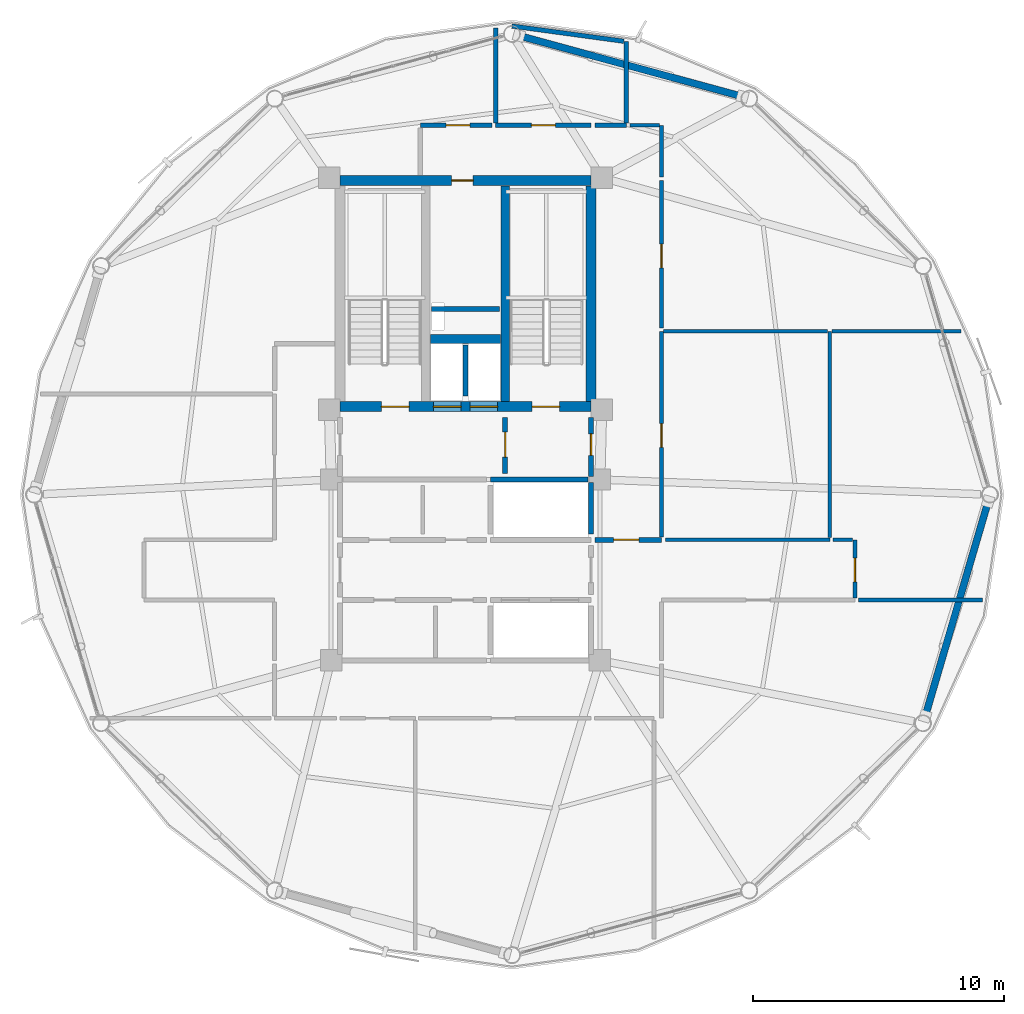
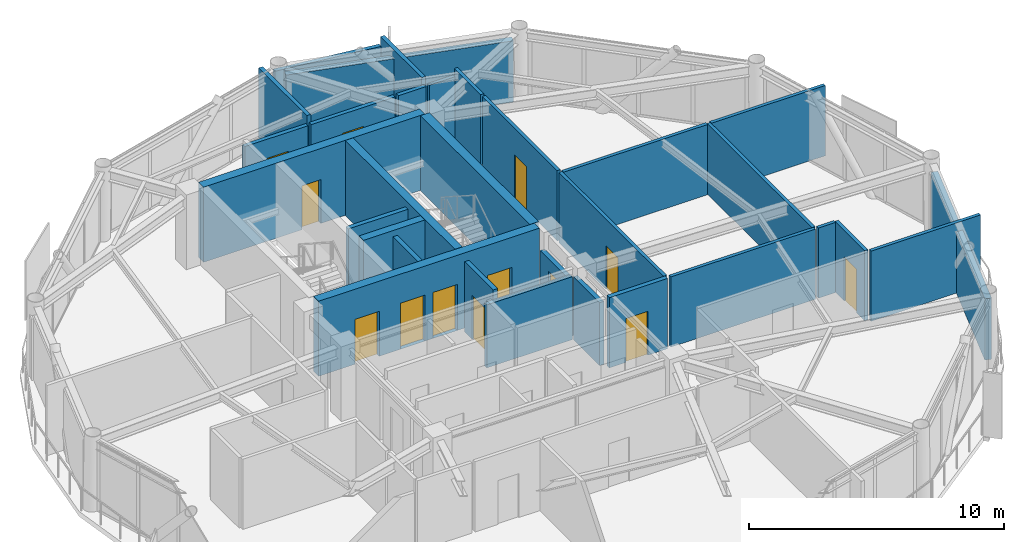
# One storey, part 22 of 26: 31 walls, 13 doors, 13 openings.
"""IFC4 building model written with IfcOpenShell, lengths in metres."""

from ifc_helpers import new_model, si_unit, direction, frame, frame_2d, origin, place, context, subcontext, project, spatial, rectangle, extrude, material, layer, layer_set, type_object, element, fill, save


model = new_model("IFC4")

# Units and contexts
model_context = context("Model", 3, precision=1e-05, world=origin(), true_north=direction((0.0, 1.0)))
body_context = subcontext(model_context, "Body", "Model", "MODEL_VIEW")
ifc_project = project(units=[si_unit("LENGTHUNIT", "METRE"), si_unit("AREAUNIT", "SQUARE_METRE"), si_unit("VOLUMEUNIT", "CUBIC_METRE"), si_unit("PLANEANGLEUNIT", "RADIAN"), si_unit("MASSUNIT", "GRAM", prefix="KILO")], contexts=[model_context])

# Site, building, storey
site_placement = place(None, origin())
site = spatial("IfcSite", under=ifc_project, at=site_placement, CompositionType="ELEMENT")
building_placement = place(site_placement, origin())
building = spatial("IfcBuilding", under=site, at=building_placement, Name="Varnakorn Sky Granary", CompositionType="ELEMENT")
storey_placement = place(building_placement, frame((0.0, 0.0, 218.39990234375)))
storey = spatial("IfcBuildingStorey", under=building, at=storey_placement, Name="L55", CompositionType="ELEMENT", Elevation=218.39990234375)

# Walls
ifc_material_1 = material(Name="Concrete C50/60", Category="concrete")
ifc_layer_1 = layer(ifc_material_1, 0.35009765625, Name="Concrete C50/60")
ifc_layer_set_1 = layer_set([ifc_layer_1], Name="Concrete C50/60")
wall_type_1 = type_object("IfcWallType", Name="WT-CW-INT-350", PredefinedType="SHEAR", material=ifc_layer_set_1)
wall_1_placement = place(storey_placement, frame((4.580078125, 3.7099609375, 0.0), z_axis=(0.0, 0.0, 1.0), x_axis=(0.0, 1.0, 0.0)))
element("IfcWall", 1, at=wall_1_placement, inside=storey, type_object=wall_type_1, Name="Stair ST-2 Core Wall L55", PredefinedType="SHEAR", context=body_context, shape_type="SweptSolid", body=[
    extrude(rectangle(XDim=8.580078125, YDim=0.35009765625, at=frame_2d((4.2900390625, 0.0))), origin(), (0.0, 0.0, 1.0), 3.592041015625),
])
wall_2_placement = place(storey_placement, frame((1.610107421875, 6.199951171875, 0.0), z_axis=(0.0, 0.0, 1.0), x_axis=(1.0, 0.0, 0.0)))
element("IfcWall", 2, at=wall_2_placement, inside=storey, type_object=wall_type_1, Name="Core Lift Shaft Cross Wall L55", PredefinedType="SHEAR", context=body_context, shape_type="SweptSolid", body=[
    extrude(rectangle(XDim=2.77978515625, YDim=0.35009765625, at=frame_2d((1.389892578125, 0.0))), origin(), (0.0, 0.0, 1.0), 3.592041015625),
])

# Wall, openings, doors
ifc_layer_2 = layer(ifc_material_1, 0.39990234375, Name="Concrete C50/60")
ifc_layer_set_2 = layer_set([ifc_layer_2], Name="Concrete C50/60")
wall_type_2 = type_object("IfcWallType", Name="WT-CW-SHEAR-400", PredefinedType="SHEAR", material=ifc_layer_set_2)
wall_3_placement = place(storey_placement, frame((-2.0, 3.5, 0.0), z_axis=(0.0, 0.0, 1.0), x_axis=(1.0, 0.0, 0.0)))
wall_3 = element("IfcWall", 3, at=wall_3_placement, inside=storey, type_object=wall_type_2, Name="Core South Shear Wall L55", PredefinedType="SHEAR", context=body_context, shape_type="SweptSolid", body=[
    extrude(rectangle(XDim=10.0, YDim=0.39990234375, at=frame_2d((5.0, 0.0))), origin(), (0.0, 0.0, 1.0), 3.592041015625),
])
opening_1_placement = place(wall_3_placement, frame((1.64990234375, 0.0, 0.0)))
opening_1 = element("IfcOpeningElement", 4, at=opening_1_placement, cuts=wall_3, Name="Opening FD-90", PredefinedType="OPENING", context=body_context, shape_type="SweptSolid", body=[
    extrude(rectangle(XDim=1.10009765625, YDim=2.14990234375, at=frame_2d((0.550048828125, 1.074951171875))), frame((0.0, 0.2099609375, 0.0), z_axis=(0.0, -1.0, 0.0), x_axis=(1.0, 0.0, 0.0)), (0.0, 0.0, 1.0), 0.419921875),
])
opening_2_placement = place(wall_3_placement, frame((7.64990234375, 0.0, 0.0)))
opening_2 = element("IfcOpeningElement", 5, at=opening_2_placement, cuts=wall_3, Name="Opening FD-90", PredefinedType="OPENING", context=body_context, shape_type="SweptSolid", body=[
    extrude(rectangle(XDim=1.10009765625, YDim=2.14990234375, at=frame_2d((0.550048828125, 1.074951171875))), frame((0.0, 0.2099609375, 0.0), z_axis=(0.0, -1.0, 0.0), x_axis=(1.0, 0.0, 0.0)), (0.0, 0.0, 1.0), 0.419921875),
])
opening_3_placement = place(wall_3_placement, frame((3.719970703125, 0.0, 0.0)))
opening_3 = element("IfcOpeningElement", 6, at=opening_3_placement, cuts=wall_3, Name="Opening LD-01", PredefinedType="OPENING", context=body_context, shape_type="SweptSolid", body=[
    extrude(rectangle(XDim=1.10009765625, YDim=2.199951171875, at=frame_2d((0.550048828125, 1.10009765625))), frame((0.0, 0.2099609375, 0.0), z_axis=(0.0, -1.0, 0.0), x_axis=(1.0, 0.0, 0.0)), (0.0, 0.0, 1.0), 0.419921875),
])
opening_4_placement = place(wall_3_placement, frame((5.179931640625, 0.0, 0.0)))
opening_4 = element("IfcOpeningElement", 7, at=opening_4_placement, cuts=wall_3, Name="Opening LD-01", PredefinedType="OPENING", context=body_context, shape_type="SweptSolid", body=[
    extrude(rectangle(XDim=1.10009765625, YDim=2.199951171875, at=frame_2d((0.550048828125, 1.10009765625))), frame((0.0, 0.2099609375, 0.0), z_axis=(0.0, -1.0, 0.0), x_axis=(1.0, 0.0, 0.0)), (0.0, 0.0, 1.0), 0.419921875),
])
ifc_material_2 = material(Name="Brushed Bronze Stainless Steel", Category="steel")
door_type_1 = type_object("IfcDoorType", Name="DR-LD-1100", OperationType="DOUBLE_DOOR_SLIDING", PredefinedType="DOOR", material=ifc_material_2)
door_1_placement = place(opening_3_placement, origin())
door_1 = element("IfcDoor", 8, at=door_1_placement, inside=storey, type_object=door_type_1, Name="Firefighting Lift FFL-1 Landing Door L55", OperationType="DOUBLE_DOOR_SLIDING", OverallHeight=2.199951171875, OverallWidth=1.10009765625, PredefinedType="DOOR", context=body_context, shape_type="SweptSolid", body=[
    extrude(rectangle(XDim=1.10009765625, YDim=2.199951171875, at=frame_2d((0.550048828125, 1.10009765625))), frame((0.0, 0.02490234375, 0.0), z_axis=(0.0, -1.0, 0.0), x_axis=(1.0, 0.0, 0.0)), (0.0, 0.0, 1.0), 0.050048828125),
])
fill(opening_3, door_1)
door_2_placement = place(opening_4_placement, origin())
door_2 = element("IfcDoor", 9, at=door_2_placement, inside=storey, type_object=door_type_1, Name="Firefighting Lift FFL-2 Landing Door L55", OperationType="DOUBLE_DOOR_SLIDING", OverallHeight=2.199951171875, OverallWidth=1.10009765625, PredefinedType="DOOR", context=body_context, shape_type="SweptSolid", body=[
    extrude(rectangle(XDim=1.10009765625, YDim=2.199951171875, at=frame_2d((0.550048828125, 1.10009765625))), frame((0.0, 0.02490234375, 0.0), z_axis=(0.0, -1.0, 0.0), x_axis=(1.0, 0.0, 0.0)), (0.0, 0.0, 1.0), 0.050048828125),
])
fill(opening_4, door_2)
ifc_material_3 = material(Name="Galvanised Painted Steel Leaf", Category="steel")
door_type_2 = type_object("IfcDoorType", Name="DR-STAIR-1100", OperationType="NOTDEFINED", PredefinedType="DOOR", material=ifc_material_3)
door_3_placement = place(opening_1_placement, origin())
door_3 = element("IfcDoor", 10, at=door_3_placement, inside=storey, type_object=door_type_2, Name="Stair ST-1 Protected Fire Door L55", OperationType="SINGLE_SWING_LEFT", OverallHeight=2.14990234375, OverallWidth=1.10009765625, PredefinedType="DOOR", context=body_context, shape_type="SweptSolid", body=[
    extrude(rectangle(XDim=1.10009765625, YDim=2.14990234375, at=frame_2d((0.550048828125, 1.074951171875))), frame((0.0, 0.02490234375, 0.0), z_axis=(0.0, -1.0, 0.0), x_axis=(1.0, 0.0, 0.0)), (0.0, 0.0, 1.0), 0.050048828125),
])
fill(opening_1, door_3)
door_4_placement = place(opening_2_placement, origin())
door_4 = element("IfcDoor", 11, at=door_4_placement, inside=storey, type_object=door_type_2, Name="Stair ST-2 Protected Fire Door L55", OperationType="SINGLE_SWING_RIGHT", OverallHeight=2.14990234375, OverallWidth=1.10009765625, PredefinedType="DOOR", context=body_context, shape_type="SweptSolid", body=[
    extrude(rectangle(XDim=1.10009765625, YDim=2.14990234375, at=frame_2d((0.550048828125, 1.074951171875))), frame((0.0, 0.02490234375, 0.0), z_axis=(0.0, -1.0, 0.0), x_axis=(1.0, 0.0, 0.0)), (0.0, 0.0, 1.0), 0.050048828125),
])
fill(opening_2, door_4)

# Wall, opening, door
wall_4_placement = place(storey_placement, frame((-2.0, 12.5, 0.0), z_axis=(0.0, 0.0, 1.0), x_axis=(1.0, 0.0, 0.0)))
wall_4 = element("IfcWall", 12, at=wall_4_placement, inside=storey, type_object=wall_type_2, Name="Core North Shear Wall L55", PredefinedType="SHEAR", context=body_context, shape_type="SweptSolid", body=[
    extrude(rectangle(XDim=10.0, YDim=0.39990234375, at=frame_2d((5.0, 0.0))), origin(), (0.0, 0.0, 1.0), 3.592041015625),
])
opening_5_placement = place(wall_4_placement, frame((4.449951171875, 0.0, 0.0)))
opening_5 = element("IfcOpeningElement", 13, at=opening_5_placement, cuts=wall_4, Name="Opening FD-60N", PredefinedType="OPENING", context=body_context, shape_type="SweptSolid", body=[
    extrude(rectangle(XDim=0.85009765625, YDim=2.10009765625, at=frame_2d((0.425048828125, 1.050048828125))), frame((0.0, 0.2099609375, 0.0), z_axis=(0.0, -1.0, 0.0), x_axis=(1.0, 0.0, 0.0)), (0.0, 0.0, 1.0), 0.419921875),
])
ifc_material_4 = material(Name="Acoustic Timber Fire Leaf", Category="wood")
door_type_3 = type_object("IfcDoorType", Name="DR-FD60-850", OperationType="NOTDEFINED", PredefinedType="DOOR", material=ifc_material_4)
door_5_placement = place(opening_5_placement, origin())
door_5 = element("IfcDoor", 14, at=door_5_placement, inside=storey, type_object=door_type_3, Name="Core North Service Door L55", OperationType="SINGLE_SWING_LEFT", OverallHeight=2.10009765625, OverallWidth=0.85009765625, PredefinedType="DOOR", context=body_context, shape_type="SweptSolid", body=[
    extrude(rectangle(XDim=0.85009765625, YDim=2.10009765625, at=frame_2d((0.425048828125, 1.050048828125))), frame((0.0, 0.02490234375, 0.0), z_axis=(0.0, -1.0, 0.0), x_axis=(1.0, 0.0, 0.0)), (0.0, 0.0, 1.0), 0.050048828125),
])
fill(opening_5, door_5)

# Walls
wall_5_placement = place(storey_placement, frame((8.0, 3.7099609375, 0.0), z_axis=(0.0, 0.0, 1.0), x_axis=(0.0, 1.0, 0.0)))
element("IfcWall", 15, at=wall_5_placement, inside=storey, type_object=wall_type_2, Name="Core East Shear Wall L55", PredefinedType="SHEAR", context=body_context, shape_type="SweptSolid", body=[
    extrude(rectangle(XDim=8.580078125, YDim=0.39990234375, at=frame_2d((4.2900390625, 0.0))), origin(), (0.0, 0.0, 1.0), 3.592041015625),
])
ifc_material_5 = material(Name="Precast concrete C40/50", Category="concrete")
ifc_layer_3 = layer(ifc_material_5, 0.280029296875, Name="Precast concrete C40/50")
ifc_layer_set_3 = layer_set([ifc_layer_3], Name="Precast concrete C40/50")
wall_type_3 = type_object("IfcWallType", Name="WT-EW-CRN-280", PredefinedType="SOLIDWALL", material=ifc_layer_set_3)
wall_6_placement = place(storey_placement, frame((5.125, 18.26904296875, 0.0), z_axis=(0.0, 0.0, 1.0), x_axis=(0.964845001115, -0.262819565145, 0.0)))
element("IfcWall", 16, at=wall_6_placement, inside=storey, type_object=wall_type_3, Name="Agritech Insulated Precast Facade Wall L55-P03", PredefinedType="SOLIDWALL", context=body_context, shape_type="SweptSolid", body=[
    extrude(rectangle(XDim=9.22509765625, YDim=0.280029296875, at=frame_2d((4.612548828125, 0.0))), origin(), (0.0, 0.0, 1.0), 2.93017578125),
])
wall_7_placement = place(storey_placement, frame((23.806884765625, -0.2734375, 0.0), z_axis=(0.0, 0.0, 1.0), x_axis=(-0.281147848911, -0.95966446587, 0.0)))
element("IfcWall", 17, at=wall_7_placement, inside=storey, type_object=wall_type_3, Name="Agritech Insulated Precast Facade Wall L55-P12", PredefinedType="SOLIDWALL", context=body_context, shape_type="SweptSolid", body=[
    extrude(rectangle(XDim=8.917236328125, YDim=0.280029296875, at=frame_2d((4.45849609375, 0.0))), origin(), (0.0, 0.0, 1.0), 2.93017578125),
])

# Wall, opening, door
ifc_material_6 = material(Name="Autoclaved Aerated Concrete Blockwork", Category="masonry")
ifc_layer_4 = layer(ifc_material_6, 0.199951171875, Name="Autoclaved Aerated Concrete Blockwork")
ifc_layer_set_4 = layer_set([ifc_layer_4], Name="Autoclaved Aerated Concrete Blockwork")
wall_type_4 = type_object("IfcWallType", Name="WT-FIRE-200", PredefinedType="MOVABLE", material=ifc_layer_set_4)
wall_8_placement = place(storey_placement, frame((4.580078125, 0.830078125, 0.0), z_axis=(0.0, 0.0, 1.0), x_axis=(0.0, 1.0, 0.0)))
wall_8 = element("IfcWall", 18, at=wall_8_placement, inside=storey, type_object=wall_type_4, Name="Interior Partition Wall L55-011", PredefinedType="MOVABLE", context=body_context, shape_type="SweptSolid", body=[
    extrude(rectangle(XDim=2.239990234375, YDim=0.199951171875, at=frame_2d((1.1201171875, 0.0))), origin(), (0.0, 0.0, 1.0), 3.360107421875),
])
opening_6_placement = place(wall_8_placement, frame((0.659912109375, 0.0, 0.0)))
opening_6 = element("IfcOpeningElement", 19, at=opening_6_placement, cuts=wall_8, Name="Opening FD-60", PredefinedType="OPENING", context=body_context, shape_type="SweptSolid", body=[
    extrude(rectangle(XDim=1.0, YDim=2.10009765625, at=frame_2d((0.5, 1.050048828125))), frame((0.0, 0.10986328125, 0.0), z_axis=(0.0, -1.0, 0.0), x_axis=(1.0, 0.0, 0.0)), (0.0, 0.0, 1.0), 0.219970703125),
])
door_type_4 = type_object("IfcDoorType", Name="DR-FD60-1000", OperationType="NOTDEFINED", PredefinedType="DOOR", material=ifc_material_4)
door_6_placement = place(opening_6_placement, origin())
door_6 = element("IfcDoor", 20, at=door_6_placement, inside=storey, type_object=door_type_4, Name="Interior Door L55-011-1", OperationType="SINGLE_SWING_RIGHT", OverallHeight=2.10009765625, OverallWidth=1.0, PredefinedType="DOOR", context=body_context, shape_type="SweptSolid", body=[
    extrude(rectangle(XDim=1.0, YDim=2.10009765625, at=frame_2d((0.5, 1.050048828125))), frame((0.0, 0.02490234375, 0.0), z_axis=(0.0, -1.0, 0.0), x_axis=(1.0, 0.0, 0.0)), (0.0, 0.0, 1.0), 0.050048828125),
])
fill(opening_6, door_6)

wall_9_placement = place(storey_placement, frame((8.0, 0.719970703125, 0.0), z_axis=(0.0, 0.0, 1.0), x_axis=(0.0, 1.0, 0.0)))
wall_9 = element("IfcWall", 21, at=wall_9_placement, inside=storey, type_object=wall_type_4, Name="Interior Partition Wall L55-013", PredefinedType="MOVABLE", context=body_context, shape_type="SweptSolid", body=[
    extrude(rectangle(XDim=2.35009765625, YDim=0.199951171875, at=frame_2d((1.175048828125, 0.0))), origin(), (0.0, 0.0, 1.0), 2.692138671875),
])
opening_7_placement = place(wall_9_placement, frame((0.844970703125, 0.0, 0.0)))
opening_7 = element("IfcOpeningElement", 22, at=opening_7_placement, cuts=wall_9, Name="Opening FD-60N", PredefinedType="OPENING", context=body_context, shape_type="SweptSolid", body=[
    extrude(rectangle(XDim=0.85009765625, YDim=2.10009765625, at=frame_2d((0.425048828125, 1.050048828125))), frame((0.0, 0.10986328125, 0.0), z_axis=(0.0, -1.0, 0.0), x_axis=(1.0, 0.0, 0.0)), (0.0, 0.0, 1.0), 0.219970703125),
])
door_7_placement = place(opening_7_placement, origin())
door_7 = element("IfcDoor", 23, at=door_7_placement, inside=storey, type_object=door_type_3, Name="Interior Door L55-013-1", OperationType="SINGLE_SWING_RIGHT", OverallHeight=2.10009765625, OverallWidth=0.85009765625, PredefinedType="DOOR", context=body_context, shape_type="SweptSolid", body=[
    extrude(rectangle(XDim=0.85009765625, YDim=2.10009765625, at=frame_2d((0.425048828125, 1.050048828125))), frame((0.0, 0.02490234375, 0.0), z_axis=(0.0, -1.0, 0.0), x_axis=(1.0, 0.0, 0.0)), (0.0, 0.0, 1.0), 0.050048828125),
])
fill(opening_7, door_7)

wall_10_placement = place(storey_placement, frame((8.159912109375, -1.800048828125, 0.0), z_axis=(0.0, 0.0, 1.0), x_axis=(1.0, 0.0, 0.0)))
wall_10 = element("IfcWall", 24, at=wall_10_placement, inside=storey, type_object=wall_type_4, Name="Interior Partition Wall L55-018", PredefinedType="MOVABLE", context=body_context, shape_type="SweptSolid", body=[
    extrude(rectangle(XDim=2.64013671875, YDim=0.199951171875, at=frame_2d((1.320068359375, 0.0))), origin(), (0.0, 0.0, 1.0), 3.360107421875),
])
opening_8_placement = place(wall_10_placement, frame((0.739990234375, 0.0, 0.0)))
opening_8 = element("IfcOpeningElement", 25, at=opening_8_placement, cuts=wall_10, Name="Opening FD-60", PredefinedType="OPENING", context=body_context, shape_type="SweptSolid", body=[
    extrude(rectangle(XDim=1.0, YDim=2.10009765625, at=frame_2d((0.5, 1.050048828125))), frame((0.0, 0.10986328125, 0.0), z_axis=(0.0, -1.0, 0.0), x_axis=(1.0, 0.0, 0.0)), (0.0, 0.0, 1.0), 0.219970703125),
])
door_8_placement = place(opening_8_placement, origin())
door_8 = element("IfcDoor", 26, at=door_8_placement, inside=storey, type_object=door_type_4, Name="Interior Door L55-018-1", OperationType="SINGLE_SWING_LEFT", OverallHeight=2.10009765625, OverallWidth=1.0, PredefinedType="DOOR", context=body_context, shape_type="SweptSolid", body=[
    extrude(rectangle(XDim=1.0, YDim=2.10009765625, at=frame_2d((0.5, 1.050048828125))), frame((0.0, 0.02490234375, 0.0), z_axis=(0.0, -1.0, 0.0), x_axis=(1.0, 0.0, 0.0)), (0.0, 0.0, 1.0), 0.050048828125),
])
fill(opening_8, door_8)

ifc_material_7 = material(Name="Gypsum Plasterboard on Steel Stud", Category="steel")
ifc_layer_5 = layer(ifc_material_7, 0.14990234375, Name="Gypsum Plasterboard on Steel Stud")
ifc_layer_set_5 = layer_set([ifc_layer_5], Name="Gypsum Plasterboard on Steel Stud")
wall_type_5 = type_object("IfcWallType", Name="WT-PART-150", PredefinedType="PARTITIONING", material=ifc_layer_set_5)
wall_11_placement = place(storey_placement, frame((10.800048828125, -1.68994140625, 0.0), z_axis=(0.0, 0.0, 1.0), x_axis=(0.0, 1.0, 0.0)))
wall_11 = element("IfcWall", 27, at=wall_11_placement, inside=storey, type_object=wall_type_5, Name="Interior Partition Wall L55-025", PredefinedType="PARTITIONING", context=body_context, shape_type="SweptSolid", body=[
    extrude(rectangle(XDim=8.18994140625, YDim=0.14990234375, at=frame_2d((4.094970703125, 0.0))), origin(), (0.0, 0.0, 1.0), 3.360107421875),
])
opening_9_placement = place(wall_11_placement, frame((3.56494140625, 0.0, 0.0)))
opening_9 = element("IfcOpeningElement", 28, at=opening_9_placement, cuts=wall_11, Name="Opening ID-95", PredefinedType="OPENING", context=body_context, shape_type="SweptSolid", body=[
    extrude(rectangle(XDim=0.949951171875, YDim=2.10009765625, at=frame_2d((0.47509765625, 1.050048828125))), frame((0.0, 0.0849609375, 0.0), z_axis=(0.0, -1.0, 0.0), x_axis=(1.0, 0.0, 0.0)), (0.0, 0.0, 1.0), 0.169921875),
])
ifc_material_8 = material(Name="Solid-Core Teak Veneer Leaf", Category="timber")
door_type_5 = type_object("IfcDoorType", Name="DR-INT-950", OperationType="NOTDEFINED", PredefinedType="DOOR", material=ifc_material_8)
door_9_placement = place(opening_9_placement, origin())
door_9 = element("IfcDoor", 29, at=door_9_placement, inside=storey, type_object=door_type_5, Name="Interior Door L55-025-1", OperationType="SINGLE_SWING_RIGHT", OverallHeight=2.10009765625, OverallWidth=0.949951171875, PredefinedType="DOOR", context=body_context, shape_type="SweptSolid", body=[
    extrude(rectangle(XDim=0.949951171875, YDim=2.10009765625, at=frame_2d((0.47509765625, 1.050048828125))), frame((0.0, 0.02490234375, 0.0), z_axis=(0.0, -1.0, 0.0), x_axis=(1.0, 0.0, 0.0)), (0.0, 0.0, 1.0), 0.050048828125),
])
fill(opening_9, door_9)

wall_12_placement = place(storey_placement, frame((18.5, -4.114990234375, 0.0), z_axis=(0.0, 0.0, 1.0), x_axis=(0.0, 1.0, 0.0)))
wall_12 = element("IfcWall", 30, at=wall_12_placement, inside=storey, type_object=wall_type_5, Name="Interior Partition Wall L55-026", PredefinedType="PARTITIONING", context=body_context, shape_type="SweptSolid", body=[
    extrude(rectangle(XDim=2.31494140625, YDim=0.14990234375, at=frame_2d((1.157470703125, 0.0))), origin(), (0.0, 0.0, 1.0), 3.360107421875),
])
opening_10_placement = place(wall_12_placement, frame((0.639892578125, 0.0, 0.0)))
opening_10 = element("IfcOpeningElement", 31, at=opening_10_placement, cuts=wall_12, Name="Opening ID-95", PredefinedType="OPENING", context=body_context, shape_type="SweptSolid", body=[
    extrude(rectangle(XDim=0.949951171875, YDim=2.10009765625, at=frame_2d((0.47509765625, 1.050048828125))), frame((0.0, 0.0849609375, 0.0), z_axis=(0.0, -1.0, 0.0), x_axis=(1.0, 0.0, 0.0)), (0.0, 0.0, 1.0), 0.169921875),
])
door_10_placement = place(opening_10_placement, origin())
door_10 = element("IfcDoor", 32, at=door_10_placement, inside=storey, type_object=door_type_5, Name="Interior Door L55-026-1", OperationType="SINGLE_SWING_LEFT", OverallHeight=2.10009765625, OverallWidth=0.949951171875, PredefinedType="DOOR", context=body_context, shape_type="SweptSolid", body=[
    extrude(rectangle(XDim=0.949951171875, YDim=2.10009765625, at=frame_2d((0.47509765625, 1.050048828125))), frame((0.0, 0.02490234375, 0.0), z_axis=(0.0, -1.0, 0.0), x_axis=(1.0, 0.0, 0.0)), (0.0, 0.0, 1.0), 0.050048828125),
])
fill(opening_10, door_10)

wall_13_placement = place(storey_placement, frame((10.800048828125, 6.635009765625, 0.0), z_axis=(0.0, 0.0, 1.0), x_axis=(0.0, 1.0, 0.0)))
wall_13 = element("IfcWall", 33, at=wall_13_placement, inside=storey, type_object=wall_type_5, Name="Interior Partition Wall L55-027", PredefinedType="PARTITIONING", context=body_context, shape_type="SweptSolid", body=[
    extrude(rectangle(XDim=5.864990234375, YDim=0.14990234375, at=frame_2d((2.9326171875, 0.0))), origin(), (0.0, 0.0, 1.0), 3.360107421875),
])
opening_11_placement = place(wall_13_placement, frame((2.389892578125, 0.0, 0.0)))
opening_11 = element("IfcOpeningElement", 34, at=opening_11_placement, cuts=wall_13, Name="Opening ID-95", PredefinedType="OPENING", context=body_context, shape_type="SweptSolid", body=[
    extrude(rectangle(XDim=0.949951171875, YDim=2.10009765625, at=frame_2d((0.47509765625, 1.050048828125))), frame((0.0, 0.0849609375, 0.0), z_axis=(0.0, -1.0, 0.0), x_axis=(1.0, 0.0, 0.0)), (0.0, 0.0, 1.0), 0.169921875),
])
door_11_placement = place(opening_11_placement, origin())
door_11 = element("IfcDoor", 35, at=door_11_placement, inside=storey, type_object=door_type_5, Name="Interior Door L55-027-1", OperationType="SINGLE_SWING_RIGHT", OverallHeight=2.10009765625, OverallWidth=0.949951171875, PredefinedType="DOOR", context=body_context, shape_type="SweptSolid", body=[
    extrude(rectangle(XDim=0.949951171875, YDim=2.10009765625, at=frame_2d((0.47509765625, 1.050048828125))), frame((0.0, 0.02490234375, 0.0), z_axis=(0.0, -1.0, 0.0), x_axis=(1.0, 0.0, 0.0)), (0.0, 0.0, 1.0), 0.050048828125),
])
fill(opening_11, door_11)

# Walls
wall_14_placement = place(storey_placement, frame((18.635009765625, -4.199951171875, 0.0), z_axis=(0.0, 0.0, 1.0), x_axis=(1.0, 0.0, 0.0)))
element("IfcWall", 36, at=wall_14_placement, inside=storey, type_object=wall_type_5, Name="Interior Partition Wall L55-042", PredefinedType="PARTITIONING", context=body_context, shape_type="SweptSolid", body=[
    extrude(rectangle(XDim=4.948974609375, YDim=0.14990234375, at=frame_2d((2.474609375, 0.0))), origin(), (0.0, 0.0, 1.0), 3.360107421875),
])
wall_15_placement = place(storey_placement, frame((17.5, -1.800048828125, 0.0), z_axis=(0.0, 0.0, 1.0), x_axis=(-1.0, 0.0, 0.0)))
element("IfcWall", 37, at=wall_15_placement, inside=storey, type_object=wall_type_5, Name="Interior Partition Wall L55-053", PredefinedType="PARTITIONING", context=body_context, shape_type="SweptSolid", body=[
    extrude(rectangle(XDim=6.5400390625, YDim=0.14990234375, at=frame_2d((3.27001953125, 0.0))), origin(), (0.0, 0.0, 1.0), 3.360107421875),
])
wall_16_placement = place(storey_placement, frame((17.5, 6.5, 0.0), z_axis=(0.0, 0.0, 1.0), x_axis=(0.0, -1.0, 0.0)))
element("IfcWall", 38, at=wall_16_placement, inside=storey, type_object=wall_type_5, Name="Interior Partition Wall L55-054", PredefinedType="PARTITIONING", context=body_context, shape_type="SweptSolid", body=[
    extrude(rectangle(XDim=8.215087890625, YDim=0.14990234375, at=frame_2d((4.107421875, 0.0))), origin(), (0.0, 0.0, 1.0), 3.360107421875),
])
wall_17_placement = place(storey_placement, frame((10.885009765625, 6.5, 0.0), z_axis=(0.0, 0.0, 1.0), x_axis=(1.0, 0.0, 0.0)))
element("IfcWall", 39, at=wall_17_placement, inside=storey, type_object=wall_type_5, Name="Interior Partition Wall L55-055", PredefinedType="PARTITIONING", context=body_context, shape_type="SweptSolid", body=[
    extrude(rectangle(XDim=6.530029296875, YDim=0.14990234375, at=frame_2d((3.26513671875, 0.0))), origin(), (0.0, 0.0, 1.0), 3.360107421875),
])
wall_18_placement = place(storey_placement, frame((18.4150390625, -1.800048828125, 0.0), z_axis=(0.0, 0.0, 1.0), x_axis=(-1.0, 0.0, 0.0)))
element("IfcWall", 40, at=wall_18_placement, inside=storey, type_object=wall_type_5, Name="Interior Partition Wall L55-056", PredefinedType="PARTITIONING", context=body_context, shape_type="SweptSolid", body=[
    extrude(rectangle(XDim=0.780029296875, YDim=0.14990234375, at=frame_2d((0.39013671875, 0.0))), origin(), (0.0, 0.0, 1.0), 3.360107421875),
])
wall_19_placement = place(storey_placement, frame((17.5849609375, 6.5, 0.0), z_axis=(0.0, 0.0, 1.0), x_axis=(1.0, 0.0, 0.0)))
element("IfcWall", 41, at=wall_19_placement, inside=storey, type_object=wall_type_5, Name="Interior Partition Wall L55-057", PredefinedType="PARTITIONING", context=body_context, shape_type="SweptSolid", body=[
    extrude(rectangle(XDim=5.14892578125, YDim=0.14990234375, at=frame_2d((2.574462890625, 0.0))), origin(), (0.0, 0.0, 1.0), 3.360107421875),
])
wall_20_placement = place(storey_placement, frame((10.800048828125, 12.635009765625, 0.0), z_axis=(0.0, 0.0, 1.0), x_axis=(0.0, 1.0, 0.0)))
element("IfcWall", 42, at=wall_20_placement, inside=storey, type_object=wall_type_5, Name="Interior Partition Wall L55-058", PredefinedType="PARTITIONING", context=body_context, shape_type="SweptSolid", body=[
    extrude(rectangle(XDim=2.06494140625, YDim=0.14990234375, at=frame_2d((1.032470703125, 0.0))), origin(), (0.0, 0.0, 1.0), 3.360107421875),
])
wall_21_placement = place(storey_placement, frame((10.715087890625, 14.699951171875, 0.0), z_axis=(0.0, 0.0, 1.0), x_axis=(-1.0, 0.0, 0.0)))
element("IfcWall", 43, at=wall_21_placement, inside=storey, type_object=wall_type_5, Name="Interior Partition Wall L55-059", PredefinedType="PARTITIONING", context=body_context, shape_type="SweptSolid", body=[
    extrude(rectangle(XDim=1.1650390625, YDim=0.14990234375, at=frame_2d((0.58251953125, 0.0))), origin(), (0.0, 0.0, 1.0), 3.01220703125),
])

# Wall, opening, door
ifc_material_9 = material(Name="Moisture-Resistant Gypsum on Stud", Category="gypsum")
ifc_layer_6 = layer(ifc_material_9, 0.179931640625, Name="Moisture-Resistant Gypsum on Stud")
ifc_layer_set_6 = layer_set([ifc_layer_6], Name="Moisture-Resistant Gypsum on Stud")
wall_type_6 = type_object("IfcWallType", Name="WT-PLUMB-180", PredefinedType="PLUMBINGWALL", material=ifc_layer_set_6)
wall_22_placement = place(storey_placement, frame((8.0, 14.699951171875, 0.0), z_axis=(0.0, 0.0, 1.0), x_axis=(-1.0, 0.0, 0.0)))
wall_22 = element("IfcWall", 44, at=wall_22_placement, inside=storey, type_object=wall_type_6, Name="Interior Partition Wall L55-019", PredefinedType="PLUMBINGWALL", context=body_context, shape_type="SweptSolid", body=[
    extrude(rectangle(XDim=3.800048828125, YDim=0.179931640625, at=frame_2d((1.89990234375, 0.0))), origin(), (0.0, 0.0, 1.0), 3.01220703125),
])
opening_12_placement = place(wall_22_placement, frame((1.425048828125, 0.0, 0.0)))
opening_12 = element("IfcOpeningElement", 45, at=opening_12_placement, cuts=wall_22, Name="Opening ID-95", PredefinedType="OPENING", context=body_context, shape_type="SweptSolid", body=[
    extrude(rectangle(XDim=0.949951171875, YDim=2.10009765625, at=frame_2d((0.47509765625, 1.050048828125))), frame((0.0, 0.10009765625, 0.0), z_axis=(0.0, -1.0, 0.0), x_axis=(1.0, 0.0, 0.0)), (0.0, 0.0, 1.0), 0.199951171875),
])
door_12_placement = place(opening_12_placement, origin())
door_12 = element("IfcDoor", 46, at=door_12_placement, inside=storey, type_object=door_type_5, Name="Interior Door L55-019-1", OperationType="SINGLE_SWING_RIGHT", OverallHeight=2.10009765625, OverallWidth=0.949951171875, PredefinedType="DOOR", context=body_context, shape_type="SweptSolid", body=[
    extrude(rectangle(XDim=0.949951171875, YDim=2.10009765625, at=frame_2d((0.47509765625, 1.050048828125))), frame((0.0, 0.02490234375, 0.0), z_axis=(0.0, -1.0, 0.0), x_axis=(1.0, 0.0, 0.0)), (0.0, 0.0, 1.0), 0.050048828125),
])
fill(opening_12, door_12)

wall_23_placement = place(storey_placement, frame((4.050048828125, 14.699951171875, 0.0), z_axis=(0.0, 0.0, 1.0), x_axis=(-1.0, 0.0, 0.0)))
wall_23 = element("IfcWall", 47, at=wall_23_placement, inside=storey, type_object=wall_type_6, Name="Interior Partition Wall L55-024", PredefinedType="PLUMBINGWALL", context=body_context, shape_type="SweptSolid", body=[
    extrude(rectangle(XDim=2.85009765625, YDim=0.179931640625, at=frame_2d((1.425048828125, 0.0))), origin(), (0.0, 0.0, 1.0), 3.01220703125),
])
opening_13_placement = place(wall_23_placement, frame((0.875, 0.0, 0.0)))
opening_13 = element("IfcOpeningElement", 48, at=opening_13_placement, cuts=wall_23, Name="Opening ID-95", PredefinedType="OPENING", context=body_context, shape_type="SweptSolid", body=[
    extrude(rectangle(XDim=0.949951171875, YDim=2.10009765625, at=frame_2d((0.47509765625, 1.050048828125))), frame((0.0, 0.10009765625, 0.0), z_axis=(0.0, -1.0, 0.0), x_axis=(1.0, 0.0, 0.0)), (0.0, 0.0, 1.0), 0.199951171875),
])
door_13_placement = place(opening_13_placement, origin())
door_13 = element("IfcDoor", 49, at=door_13_placement, inside=storey, type_object=door_type_5, Name="Interior Door L55-024-1", OperationType="SINGLE_SWING_LEFT", OverallHeight=2.10009765625, OverallWidth=0.949951171875, PredefinedType="DOOR", context=body_context, shape_type="SweptSolid", body=[
    extrude(rectangle(XDim=0.949951171875, YDim=2.10009765625, at=frame_2d((0.47509765625, 1.050048828125))), frame((0.0, 0.02490234375, 0.0), z_axis=(0.0, -1.0, 0.0), x_axis=(1.0, 0.0, 0.0)), (0.0, 0.0, 1.0), 0.050048828125),
])
fill(opening_13, door_13)

# Walls
wall_24_placement = place(storey_placement, frame((9.39990234375, 14.699951171875, 0.0), z_axis=(0.0, 0.0, 1.0), x_axis=(-1.0, 0.0, 0.0)))
element("IfcWall", 50, at=wall_24_placement, inside=storey, type_object=wall_type_6, Name="Interior Partition Wall L55-034", PredefinedType="PLUMBINGWALL", context=body_context, shape_type="SweptSolid", body=[
    extrude(rectangle(XDim=1.25, YDim=0.179931640625, at=frame_2d((0.625, 0.0))), origin(), (0.0, 0.0, 1.0), 3.01220703125),
])
wall_25_placement = place(storey_placement, frame((4.199951171875, 18.56591796875, 0.0), z_axis=(0.0, 0.0, 1.0), x_axis=(0.0, -1.0, 0.0)))
element("IfcWall", 51, at=wall_25_placement, inside=storey, type_object=wall_type_6, Name="Interior Partition Wall L55-052", PredefinedType="PLUMBINGWALL", context=body_context, shape_type="SweptSolid", body=[
    extrude(rectangle(XDim=3.765869140625, YDim=0.179931640625, at=frame_2d((1.8828125, 0.0))), origin(), (0.0, 0.0, 1.0), 3.360107421875),
])
wall_26_placement = place(storey_placement, frame((9.39990234375, 14.800048828125, 0.0), z_axis=(0.0, 0.0, 1.0), x_axis=(0.0, 1.0, 0.0)))
element("IfcWall", 52, at=wall_26_placement, inside=storey, type_object=wall_type_6, Name="Interior Partition Wall L55-060", PredefinedType="PLUMBINGWALL", context=body_context, shape_type="SweptSolid", body=[
    extrude(rectangle(XDim=3.23486328125, YDim=0.179931640625, at=frame_2d((1.617431640625, 0.0))), origin(), (0.0, 0.0, 1.0), 3.360107421875),
])
wall_27_placement = place(storey_placement, frame((9.301025390625, 18.048095703125, 0.0), z_axis=(0.0, 0.0, 1.0), x_axis=(-0.990859579662, 0.134897343904, 0.0)))
element("IfcWall", 53, at=wall_27_placement, inside=storey, type_object=wall_type_6, Name="Interior Partition Wall L55-061", PredefinedType="PLUMBINGWALL", context=body_context, shape_type="SweptSolid", body=[
    extrude(rectangle(XDim=4.491943359375, YDim=0.179931640625, at=frame_2d((2.24609375, 0.0))), origin(), (0.0, 0.0, 1.0), 2.942138671875),
])
ifc_layer_7 = layer(ifc_material_6, 0.199951171875, Name="Autoclaved Aerated Concrete Blockwork")
ifc_layer_set_7 = layer_set([ifc_layer_7], Name="Autoclaved Aerated Concrete Blockwork")
wall_type_7 = type_object("IfcWallType", Name="WT-SHAFT-200", PredefinedType="SOLIDWALL", material=ifc_layer_set_7)
wall_28_placement = place(storey_placement, frame((3.0, 3.919921875, 0.0), z_axis=(0.0, 0.0, 1.0), x_axis=(0.0, 1.0, 0.0)))
element("IfcWall", 54, at=wall_28_placement, inside=storey, type_object=wall_type_7, Name="Interior Partition Wall L55-001", PredefinedType="SOLIDWALL", context=body_context, shape_type="SweptSolid", body=[
    extrude(rectangle(XDim=2.030029296875, YDim=0.199951171875, at=frame_2d((1.01513671875, 0.0))), origin(), (0.0, 0.0, 1.0), 3.360107421875),
])
wall_29_placement = place(storey_placement, frame((1.64990234375, 7.3798828125, 0.0), z_axis=(0.0, 0.0, 1.0), x_axis=(1.0, 0.0, 0.0)))
element("IfcWall", 55, at=wall_29_placement, inside=storey, type_object=wall_type_7, Name="Interior Partition Wall L55-002", PredefinedType="SOLIDWALL", context=body_context, shape_type="SweptSolid", body=[
    extrude(rectangle(XDim=2.7001953125, YDim=0.199951171875, at=frame_2d((1.35009765625, 0.0))), origin(), (0.0, 0.0, 1.0), 3.360107421875),
])
wall_30_placement = place(storey_placement, frame((4.0, 0.60009765625, 0.0), z_axis=(0.0, 0.0, 1.0), x_axis=(1.0, 0.0, 0.0)))
element("IfcWall", 56, at=wall_30_placement, inside=storey, type_object=wall_type_7, Name="Interior Partition Wall L55-003", PredefinedType="SOLIDWALL", context=body_context, shape_type="SweptSolid", body=[
    extrude(rectangle(XDim=3.8798828125, YDim=0.199951171875, at=frame_2d((1.93994140625, 0.0))), origin(), (0.0, 0.0, 1.0), 3.01220703125),
])
wall_31_placement = place(storey_placement, frame((8.0, -1.570068359375, 0.0), z_axis=(0.0, 0.0, 1.0), x_axis=(0.0, 1.0, 0.0)))
element("IfcWall", 57, at=wall_31_placement, inside=storey, type_object=wall_type_7, Name="Interior Partition Wall L55-006", PredefinedType="SOLIDWALL", context=body_context, shape_type="SweptSolid", body=[
    extrude(rectangle(XDim=2.050048828125, YDim=0.199951171875, at=frame_2d((1.02490234375, 0.0))), origin(), (0.0, 0.0, 1.0), 3.01220703125),
])

save(model, "model.ifc")
